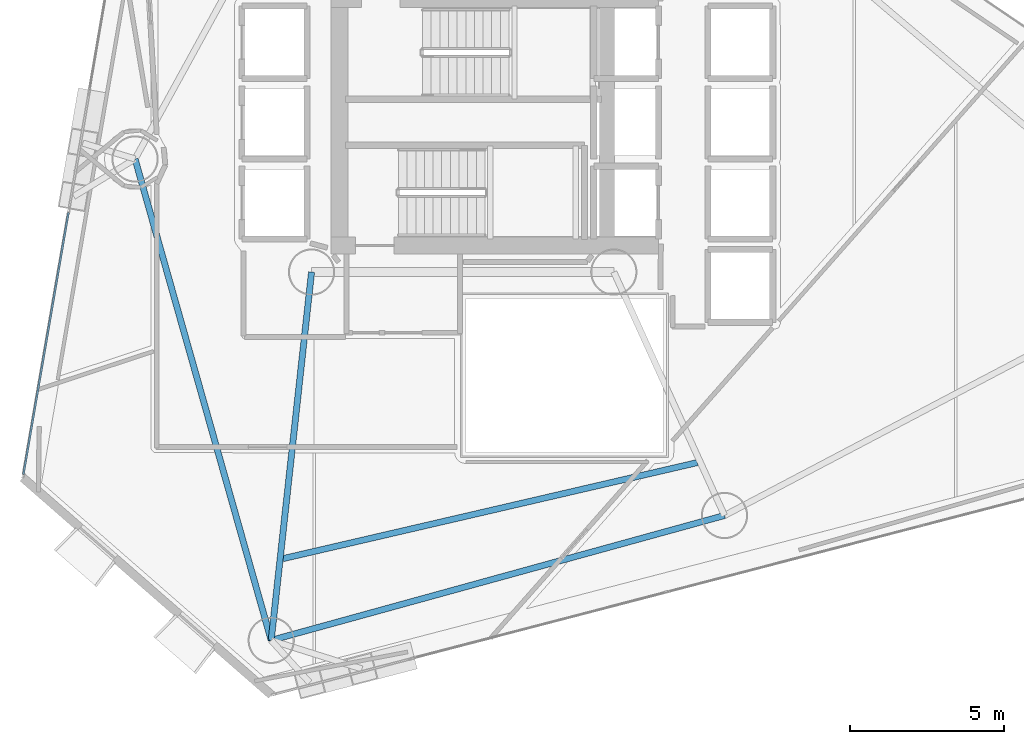
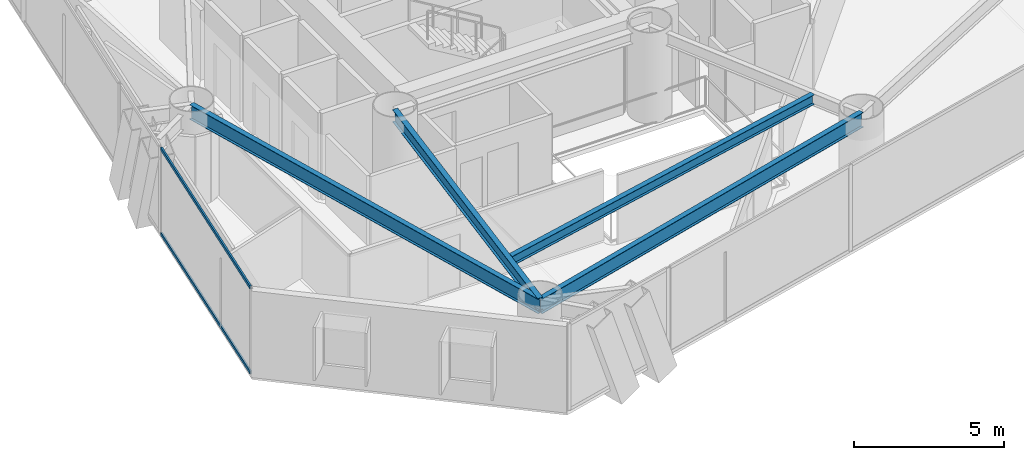
# One storey, part 3 of 21: 4 beams, 2 members, 1 element without a shape of its own.
"""IFC4 building model written with IfcOpenShell, lengths in metres."""

from ifc_helpers import new_model, si_unit, direction, frame, origin, origin_2d, place, context, subcontext, project, spatial, hollow_rectangle, i_section, extrude, material, layer, layer_set, material_profile, profile_set, type_object, element, aggregate, save


model = new_model("IFC4")

# Units and contexts
model_context = context("Model", 3, precision=1e-05, world=origin(), true_north=direction((0.0, 1.0)))
body_context = subcontext(model_context, "Body", "Model", "MODEL_VIEW")
ifc_project = project(units=[si_unit("LENGTHUNIT", "METRE"), si_unit("AREAUNIT", "SQUARE_METRE"), si_unit("VOLUMEUNIT", "CUBIC_METRE"), si_unit("PLANEANGLEUNIT", "RADIAN"), si_unit("MASSUNIT", "GRAM", prefix="KILO")], contexts=[model_context])

# Site, building, storey
site_placement = place(None, origin())
site = spatial("IfcSite", under=ifc_project, at=site_placement, CompositionType="ELEMENT")
building_placement = place(site_placement, origin())
building = spatial("IfcBuilding", under=site, at=building_placement, Name="Qianvela Tower", CompositionType="ELEMENT")
storey_placement = place(building_placement, frame((0.0, 0.0, 108.89990234375)))
storey = spatial("IfcBuildingStorey", under=building, at=storey_placement, Name="L27", CompositionType="ELEMENT", Elevation=108.89990234375)

# Beams
ifc_material_1 = material(Name="Steel Q355B", Category="steel")
ifc_material_profile_1 = material_profile(ifc_material_1, i_section(OverallWidth=0.199951171875, OverallDepth=0.39990234375, WebThickness=0.008056640625, FlangeThickness=0.012939453125, at=origin_2d()), Name="HN400x200x8x13")
ifc_profile_set_1 = profile_set([ifc_material_profile_1], Name="Steel Q355B")
beam_type_1 = type_object("IfcBeamType", Name="BM-HN400-JOIST", PredefinedType="JOIST", material=ifc_profile_set_1)
beam_1_placement = place(storey_placement, frame((27.67333984375, 14.5576171875, 3.318115234375), z_axis=(0.974157898668, 0.225868077567, 0.0), x_axis=(-0.225868077567, 0.974157898668, 0.0)))
element("IfcBeam", 1, at=beam_1_placement, inside=storey, type_object=beam_type_1, Name="L27 Secondary Composite Floor Joist 5.3", PredefinedType="JOIST", context=body_context, shape_type="SweptSolid", body=[
    extrude(i_section(OverallWidth=0.199951171875, OverallDepth=0.39990234375, WebThickness=0.008056640625, FlangeThickness=0.012939453125, at=origin_2d()), origin(), (0.0, 0.0, 1.0), 13.787841796875),
])
ifc_material_2 = material(Name="Steel Q355B", Category="steel")
ifc_material_profile_2 = material_profile(ifc_material_2, i_section(OverallWidth=0.199951171875, OverallDepth=0.5, WebThickness=0.010009765625, FlangeThickness=0.01611328125, at=origin_2d()), Name="HN500x200x10x16")
ifc_profile_set_2 = profile_set([ifc_material_profile_2], Name="Steel Q355B")
beam_type_2 = type_object("IfcBeamType", Name="BM-HN500-GIRD", PredefinedType="BEAM", material=ifc_profile_set_2)
beam_2_placement = place(storey_placement, frame((28.60009765625, 23.85009765625, 3.26806640625), z_axis=(-0.108894474914, -0.994053315136, 0.0), x_axis=(0.994053315136, -0.108894474914, 0.0)))
element("IfcBeam", 2, at=beam_2_placement, inside=storey, type_object=beam_type_2, Name="L27 Radial Primary Floor Girder 5", PredefinedType="BEAM", context=body_context, shape_type="SweptSolid", body=[
    extrude(i_section(OverallWidth=0.199951171875, OverallDepth=0.5, WebThickness=0.010009765625, FlangeThickness=0.01611328125, at=origin_2d()), origin(), (0.0, 0.0, 1.0), 12.0126953125),
])
ifc_material_3 = material(Name="Steel Q355B", Category="steel")
ifc_material_profile_3 = material_profile(ifc_material_3, i_section(OverallWidth=0.199951171875, OverallDepth=0.60009765625, WebThickness=0.010986328125, FlangeThickness=0.01708984375, at=origin_2d()), Name="HN600x200x11x17")
ifc_profile_set_3 = profile_set([ifc_material_profile_3], Name="Steel Q355B")
beam_type_3 = type_object("IfcBeamType", Name="BM-HN600-GIRD", PredefinedType="BEAM", material=ifc_profile_set_3)
beam_3_placement = place(storey_placement, frame((22.8779296875, 27.51611328125, 3.218017578125), z_axis=(0.272147602289, -0.962255518336, 0.0), x_axis=(0.962255518336, 0.272147602289, 0.0)))
element("IfcBeam", 3, at=beam_3_placement, inside=storey, type_object=beam_type_3, Name="L27 Perimeter Ring Spandrel Girder 4", PredefinedType="BEAM", context=body_context, shape_type="SweptSolid", body=[
    extrude(i_section(OverallWidth=0.199951171875, OverallDepth=0.60009765625, WebThickness=0.010986328125, FlangeThickness=0.01708984375, at=origin_2d()), origin(), (0.0, 0.0, 1.0), 16.219482421875),
])
beam_4_placement = place(storey_placement, frame((27.2919921875, 11.908935546875, 3.218017578125), z_axis=(0.964093212083, 0.265564075912, 0.0), x_axis=(-0.265564075912, 0.964093212083, 0.0)))
element("IfcBeam", 4, at=beam_4_placement, inside=storey, type_object=beam_type_3, Name="L27 Perimeter Ring Spandrel Girder 5", PredefinedType="BEAM", context=body_context, shape_type="SweptSolid", body=[
    extrude(i_section(OverallWidth=0.199951171875, OverallDepth=0.60009765625, WebThickness=0.010986328125, FlangeThickness=0.01708984375, at=origin_2d()), origin(), (0.0, 0.0, 1.0), 15.243408203125),
])

# Curtain wall, members
ifc_material_4 = material(Name="Anodised Architectural Aluminium and Low-E Glass", Category="aluminium")
ifc_layer = layer(ifc_material_4, 0.169921875)
ifc_layer_set = layer_set([ifc_layer], Name="Anodised Architectural Aluminium and Low-E Glass")
curtain_wall_type = type_object("IfcCurtainWallType", Name="CW-COLIV-Z34", PredefinedType="USERDEFINED", material=ifc_layer_set)
curtain_wall_placement = place(storey_placement, origin())
curtain_wall = element("IfcCurtainWall", 5, at=curtain_wall_placement, inside=storey, type_object=curtain_wall_type, Name="L27 CW-COLIV-Z34 Curtain Wall 04C", ObjectType="CURTAIN_WALL_SYSTEM", PredefinedType="USERDEFINED")
ifc_material_5 = material(Name="Anodised Architectural Aluminium 6063-T6", Category="aluminium")
ifc_material_profile_4 = material_profile(ifc_material_5, hollow_rectangle(XDim=0.06494140625, YDim=0.1298828125, WallThickness=0.00439453125, at=origin_2d()), Name="ALU-TRAN-65x130")
ifc_profile_set_4 = profile_set([ifc_material_profile_4], Name="Anodised Architectural Aluminium 6063-T6")
member_type = type_object("IfcMemberType", Name="CW-COLIV-Z34-TRAN", PredefinedType="USERDEFINED", material=ifc_profile_set_4)
member_1_placement = place(storey_placement, frame((20.71875, 25.775634765625, 0.03271484375), z_axis=(-0.169520346837, -0.985526687618, 0.0), x_axis=(0.985526687618, -0.169520346837, 0.0)))
member_1 = element("IfcMember", 6, at=member_1_placement, type_object=member_type, Name="CW-4 transom 1.1", ObjectType="TRANSOM", PredefinedType="USERDEFINED", context=body_context, shape_type="SweptSolid", body=[
    extrude(hollow_rectangle(XDim=0.06494140625, YDim=0.1298828125, WallThickness=0.00439453125, at=origin_2d()), origin(), (0.0, 0.0, 1.0), 8.60791015625),
])
member_2_placement = place(storey_placement, frame((20.71875, 25.775634765625, 3.487548828125), z_axis=(-0.169520346837, -0.985526687618, 0.0), x_axis=(0.985526687618, -0.169520346837, 0.0)))
member_2 = element("IfcMember", 7, at=member_2_placement, type_object=member_type, Name="CW-4 transom 1.2", ObjectType="TRANSOM", PredefinedType="USERDEFINED", context=body_context, shape_type="SweptSolid", body=[
    extrude(hollow_rectangle(XDim=0.06494140625, YDim=0.1298828125, WallThickness=0.00439453125, at=origin_2d()), origin(), (0.0, 0.0, 1.0), 8.60791015625),
])
aggregate(curtain_wall, [member_1, member_2])

save(model, "model.ifc")
